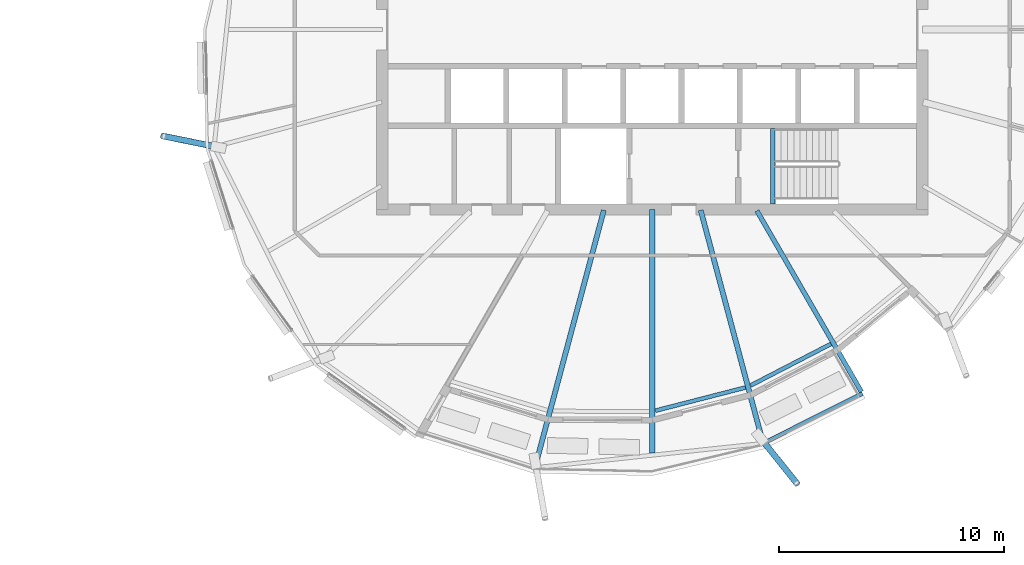
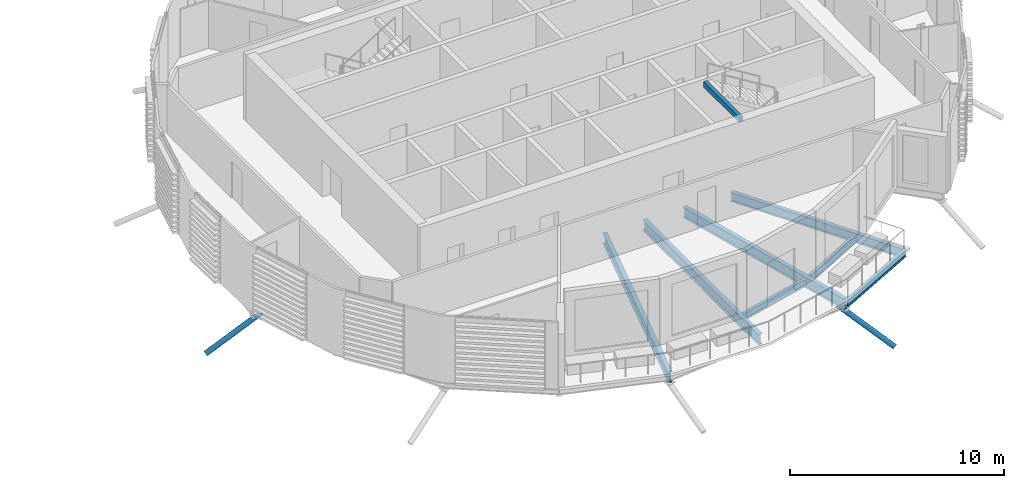
# One storey, part 10 of 41: 8 beams, 2 members.
"""IFC4 building model written with IfcOpenShell, lengths in metres."""

from ifc_helpers import new_model, si_unit, direction, frame, origin, origin_2d, place, context, subcontext, project, spatial, hollow_rectangle, hollow_circle, i_section, extrude, clip, halfspace, material, material_profile, profile_set, type_object, element, save


model = new_model("IFC4")

# Units and contexts
model_context = context("Model", 3, precision=1e-05, world=origin(), true_north=direction((0.0, 1.0)))
body_context = subcontext(model_context, "Body", "Model", "MODEL_VIEW")
ifc_project = project(units=[si_unit("LENGTHUNIT", "METRE"), si_unit("AREAUNIT", "SQUARE_METRE"), si_unit("VOLUMEUNIT", "CUBIC_METRE"), si_unit("PLANEANGLEUNIT", "RADIAN"), si_unit("MASSUNIT", "GRAM", prefix="KILO")], contexts=[model_context])

# Site, building, storey
site_placement = place(None, origin())
site = spatial("IfcSite", under=ifc_project, at=site_placement, CompositionType="ELEMENT")
building_placement = place(site_placement, origin())
building = spatial("IfcBuilding", under=site, at=building_placement, Name="Rimbun Link Towers", CompositionType="ELEMENT")
storey_placement = place(building_placement, frame((0.0, 0.0, 210.5)))
storey = spatial("IfcBuildingStorey", under=building, at=storey_placement, Name="L51", CompositionType="ELEMENT", Elevation=210.5)

# Members
ifc_material_1 = material(Name="Steel S355J2H", Category="steel")
ifc_material_profile_1 = material_profile(ifc_material_1, hollow_circle(Radius=0.136474609375, WallThickness=0.012451171875, at=origin_2d()), Name="CHS 273x12.5")
ifc_profile_set_1 = profile_set([ifc_material_profile_1], Name="Steel S355J2H")
member_type = type_object("IfcMemberType", Name="Floor edge link CHS 273x12.5", PredefinedType="BRACE", material=ifc_profile_set_1)
member_1_placement = place(storey_placement, frame((12.322021484375, -5.205810546875, -0.66162109375), z_axis=(-0.828024330598, 0.168356348838, -0.534819453408), x_axis=(-0.19924621439, -0.979949460968, 0.0)))
element("IfcMember", 1, at=member_1_placement, inside=storey, type_object=member_type, Name="Floor edge link T2 L51 10", PredefinedType="BRACE", context=body_context, shape_type="Clipping", body=[
    clip(extrude(hollow_circle(Radius=0.136474609375, WallThickness=0.012451171875, at=origin_2d()), frame((0.0, 0.0, -0.449951171875)), (0.0, 0.0, 1.0), 3.289306640625), halfspace(frame((0.0, 0.0, -0.211669921875), z_axis=(0.0, 0.844966361612, -0.534819453408)), False)),
])
member_2_placement = place(storey_placement, frame((36.64208984375, -18.258056640625, -0.86083984375), z_axis=(0.542091682619, -0.677083973201, -0.497688558107), x_axis=(0.780630009391, 0.624993430716, 0.0)))
element("IfcMember", 2, at=member_2_placement, inside=storey, type_object=member_type, Name="Floor edge link T2 L51 16", PredefinedType="BRACE", context=body_context, shape_type="Clipping", body=[
    clip(extrude(hollow_circle(Radius=0.136474609375, WallThickness=0.012451171875, at=origin_2d()), frame((0.0, 0.0, -0.495849609375)), (0.0, 0.0, 1.0), 3.371337890625), halfspace(frame((0.0, 0.0, -0.233642578125), z_axis=(0.0, 0.867355808841, -0.497688558107)), False)),
])

# Beams
ifc_material_2 = material(Name="Steel S355J2", Category="steel")
ifc_material_profile_2 = material_profile(ifc_material_2, hollow_rectangle(XDim=0.199951171875, YDim=0.300048828125, WallThickness=0.011962890625, at=origin_2d()), Name="BOX 300x200x12")
ifc_profile_set_2 = profile_set([ifc_material_profile_2], Name="Steel S355J2")
beam_type_1 = type_object("IfcBeamType", Name="Stair trimmer beam BOX 300x200x12", PredefinedType="BEAM", material=ifc_profile_set_2)
beam_1_placement = place(storey_placement, frame((37.10009765625, -7.75, 3.510009765625), z_axis=(0.0, 1.0, 0.0), x_axis=(-1.0, 0.0, 0.0)))
element("IfcBeam", 3, at=beam_1_placement, inside=storey, type_object=beam_type_1, Name="L51 ST4 stair beam 1", PredefinedType="BEAM", context=body_context, shape_type="SweptSolid", body=[
    extrude(hollow_rectangle(XDim=0.199951171875, YDim=0.300048828125, WallThickness=0.011962890625, at=origin_2d()), origin(), (0.0, 0.0, 1.0), 3.35009765625),
])
ifc_material_3 = material(Name="Steel S355J2", Category="steel")
ifc_material_profile_3 = material_profile(ifc_material_3, i_section(OverallWidth=0.177978515625, OverallDepth=0.406494140625, WebThickness=0.0078125, FlangeThickness=0.0126953125, at=origin_2d()), Name="UB 406x178x60")
ifc_profile_set_3 = profile_set([ifc_material_profile_3], Name="Steel S355J2")
beam_type_2 = type_object("IfcBeamType", Name="UB 406x178x60", PredefinedType="BEAM", material=ifc_profile_set_3)
beam_2_placement = place(storey_placement, frame((31.886962890625, -16.943115234375, -0.34326171875), z_axis=(0.96845347578, 0.249194432624, 0.0), x_axis=(-0.249194432624, 0.96845347578, 0.0)))
element("IfcBeam", 4, at=beam_2_placement, inside=storey, type_object=beam_type_2, Name="Edge beam T2 L51 15 recess", PredefinedType="BEAM", context=body_context, shape_type="SweptSolid", body=[
    extrude(i_section(OverallWidth=0.177978515625, OverallDepth=0.406494140625, WebThickness=0.0078125, FlangeThickness=0.0126953125, at=origin_2d()), origin(), (0.0, 0.0, 1.0), 4.137451171875),
])
beam_3_placement = place(storey_placement, frame((36.12744140625, -15.8203125, -0.34326171875), z_axis=(0.88814915903, 0.459555297341, 0.0), x_axis=(-0.459555297341, 0.88814915903, 0.0)))
element("IfcBeam", 5, at=beam_3_placement, inside=storey, type_object=beam_type_2, Name="Edge beam T2 L51 16 recess", PredefinedType="BEAM", context=body_context, shape_type="SweptSolid", body=[
    extrude(i_section(OverallWidth=0.177978515625, OverallDepth=0.406494140625, WebThickness=0.0078125, FlangeThickness=0.0126953125, at=origin_2d()), origin(), (0.0, 0.0, 1.0), 4.013671875),
])
beam_4_placement = place(storey_placement, frame((36.6796875, -18.394775390625, -0.34326171875), z_axis=(0.893405869045, 0.449250434786, 0.0), x_axis=(-0.449250434786, 0.893405869045, 0.0)))
element("IfcBeam", 6, at=beam_4_placement, inside=storey, type_object=beam_type_2, Name="Edge beam T2 L51 16 terrace", PredefinedType="BEAM", context=body_context, shape_type="SweptSolid", body=[
    extrude(i_section(OverallWidth=0.177978515625, OverallDepth=0.406494140625, WebThickness=0.0078125, FlangeThickness=0.0126953125, at=origin_2d()), origin(), (0.0, 0.0, 1.0), 4.935546875),
])
ifc_material_4 = material(Name="Steel S355J2", Category="steel")
ifc_material_profile_4 = material_profile(ifc_material_4, i_section(OverallWidth=0.209228515625, OverallDepth=0.533203125, WebThickness=0.010009765625, FlangeThickness=0.015625, at=origin_2d()), Name="UB 533x210x92")
ifc_profile_set_4 = profile_set([ifc_material_profile_4], Name="Steel S355J2")
beam_type_3 = type_object("IfcBeamType", Name="UB 533x210x92", PredefinedType="BEAM", material=ifc_profile_set_4)
beam_5_placement = place(storey_placement, frame((36.3994140625, -8.05322265625, -0.406494140625), z_axis=(0.500016644261, -0.866015794002, 0.0), x_axis=(0.866015794002, 0.500016644261, 0.0)))
element("IfcBeam", 7, at=beam_5_placement, inside=storey, type_object=beam_type_3, Name="Radial beam T2 L51 17", PredefinedType="BEAM", context=body_context, shape_type="SweptSolid", body=[
    extrude(i_section(OverallWidth=0.209228515625, OverallDepth=0.533203125, WebThickness=0.010009765625, FlangeThickness=0.015625, at=origin_2d()), origin(), (0.0, 0.0, 1.0), 9.290771484375),
])
ifc_material_5 = material(Name="Steel S355J2", Category="steel")
ifc_material_profile_5 = material_profile(ifc_material_5, i_section(OverallWidth=0.2275390625, OverallDepth=0.6025390625, WebThickness=0.010498046875, FlangeThickness=0.014892578125, at=origin_2d()), Name="UB 610x229x101")
ifc_profile_set_5 = profile_set([ifc_material_profile_5], Name="Steel S355J2")
beam_type_4 = type_object("IfcBeamType", Name="UB 610x229x101", PredefinedType="BEAM", material=ifc_profile_set_5)
beam_6_placement = place(storey_placement, frame((29.598388671875, -8.030517578125, -0.44140625), z_axis=(-0.258826713243, -0.965923771584, 0.0), x_axis=(0.965923771584, -0.258826713243, 0.0)))
element("IfcBeam", 8, at=beam_6_placement, inside=storey, type_object=beam_type_4, Name="Radial beam T2 L51 14", PredefinedType="BEAM", context=body_context, shape_type="SweptSolid", body=[
    extrude(i_section(OverallWidth=0.2275390625, OverallDepth=0.6025390625, WebThickness=0.010498046875, FlangeThickness=0.014892578125, at=origin_2d()), origin(), (0.0, 0.0, 1.0), 11.759521484375),
])
beam_7_placement = place(storey_placement, frame((31.75, -8.0009765625, -0.44140625), z_axis=(0.0, -1.0, 0.0), x_axis=(1.0, 0.0, 0.0)))
element("IfcBeam", 9, at=beam_7_placement, inside=storey, type_object=beam_type_4, Name="Radial beam T2 L51 15", PredefinedType="BEAM", context=body_context, shape_type="SweptSolid", body=[
    extrude(i_section(OverallWidth=0.2275390625, OverallDepth=0.6025390625, WebThickness=0.010498046875, FlangeThickness=0.014892578125, at=origin_2d()), origin(), (0.0, 0.0, 1.0), 10.828857421875),
])
beam_8_placement = place(storey_placement, frame((33.901611328125, -8.030517578125, -0.44140625), z_axis=(0.258840852582, -0.965919982729, 0.0), x_axis=(0.965919982729, 0.258840852582, 0.0)))
element("IfcBeam", 10, at=beam_8_placement, inside=storey, type_object=beam_type_4, Name="Radial beam T2 L51 16", PredefinedType="BEAM", context=body_context, shape_type="SweptSolid", body=[
    extrude(i_section(OverallWidth=0.2275390625, OverallDepth=0.6025390625, WebThickness=0.010498046875, FlangeThickness=0.014892578125, at=origin_2d()), origin(), (0.0, 0.0, 1.0), 10.638427734375),
])

save(model, "model.ifc")
